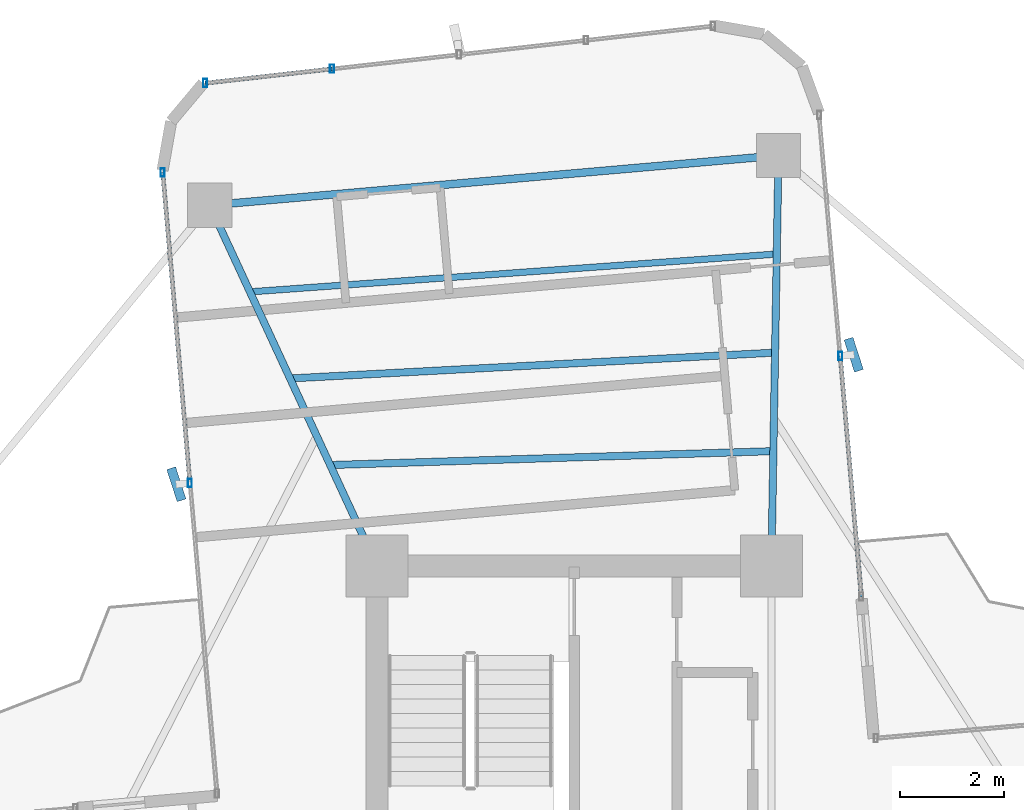
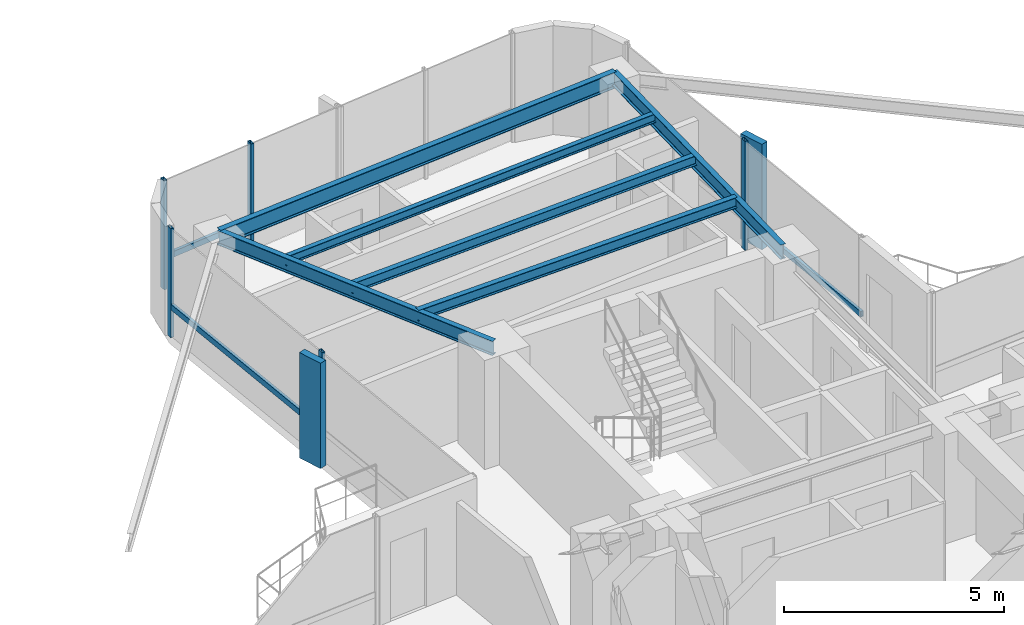
# One storey, part 16 of 24: 10 members, 6 beams, 3 elements without a shape of their own.
"""IFC4 building model written with IfcOpenShell, lengths in metres."""

from ifc_helpers import new_model, si_unit, direction, frame, origin, origin_2d, place, context, subcontext, project, spatial, rectangle, hollow_rectangle, i_section, extrude, source, transform, mapped, material, material_profile, profile_set, type_object, element, aggregate, save


model = new_model("IFC4")

# Units and contexts
model_context = context("Model", 3, precision=1e-05, world=origin(), true_north=direction((0.0, 1.0)))
body_context = subcontext(model_context, "Body", "Model", "MODEL_VIEW")
ifc_project = project(units=[si_unit("LENGTHUNIT", "METRE"), si_unit("AREAUNIT", "SQUARE_METRE"), si_unit("VOLUMEUNIT", "CUBIC_METRE"), si_unit("PLANEANGLEUNIT", "RADIAN"), si_unit("MASSUNIT", "GRAM", prefix="KILO")], contexts=[model_context])

# Site, building, storey
site_placement = place(None, origin())
site = spatial("IfcSite", under=ifc_project, at=site_placement, CompositionType="ELEMENT")
building_placement = place(site_placement, origin())
building = spatial("IfcBuilding", under=site, at=building_placement, Name="Sahyath Konkavel Grand Hotel", CompositionType="ELEMENT")
storey_placement = place(building_placement, frame((0.0, 0.0, 198.64990234375)))
storey = spatial("IfcBuildingStorey", under=building, at=storey_placement, Name="L55", CompositionType="ELEMENT", Elevation=198.64990234375)

# Beams
ifc_material_1 = material(Name="Steel E350", Category="steel")
ifc_material_profile_1 = material_profile(ifc_material_1, i_section(OverallWidth=0.139892578125, OverallDepth=0.39990234375, WebThickness=0.0087890625, FlangeThickness=0.01611328125, FilletRadius=0.013916015625, at=origin_2d()), Name="ISMB 400")
ifc_profile_set_1 = profile_set([ifc_material_profile_1], Name="Steel E350")
beam_type_1 = type_object("IfcBeamType", Name="BM-ISMB400", PredefinedType="BEAM", material=ifc_profile_set_1)
shared_shape_1 = source(origin(), body_context, "Body", "SweptSolid", [
    extrude(i_section(OverallWidth=0.139892578125, OverallDepth=0.39990234375, WebThickness=0.0087890625, FlangeThickness=0.01611328125, FilletRadius=0.013916015625, at=origin_2d()), origin(), (0.0, 0.0, 1.0), 7.913330078125),
])
beam_1_placement = place(storey_placement, frame((3.800048828125, 10.199951171875, 2.830078125), z_axis=(0.017215419232, 0.999851803689, 0.0), x_axis=(-0.999851803689, 0.017215419232, 0.0)))
element("IfcBeam", 1, at=beam_1_placement, inside=storey, type_object=beam_type_1, Name="L55 Cruciform Radial Girder NA", PredefinedType="BEAM", context=body_context, shape_type="MappedRepresentation", body=[
    mapped(shared_shape_1, transform((0.0, 0.0, 0.0), scale=1.0)),
])
shared_shape_2 = source(origin(), body_context, "Body", "SweptSolid", [
    extrude(i_section(OverallWidth=0.139892578125, OverallDepth=0.39990234375, WebThickness=0.0087890625, FlangeThickness=0.01611328125, FilletRadius=0.013916015625, at=origin_2d()), origin(), (0.0, 0.0, 1.0), 7.66357421875),
])
beam_2_placement = place(storey_placement, frame((-3.800048828125, 10.199951171875, 2.830078125), z_axis=(-0.420395127561, 0.907341135804, 0.0), x_axis=(-0.907341135804, -0.420395127561, 0.0)))
element("IfcBeam", 2, at=beam_2_placement, inside=storey, type_object=beam_type_1, Name="L55 Cruciform Radial Girder NB", PredefinedType="BEAM", context=body_context, shape_type="MappedRepresentation", body=[
    mapped(shared_shape_2, transform((0.0, 0.0, 0.0), scale=1.0)),
])
ifc_material_profile_2 = material_profile(ifc_material_1, i_section(OverallWidth=0.14990234375, OverallDepth=0.449951171875, WebThickness=0.009521484375, FlangeThickness=0.017333984375, FilletRadius=0.014892578125, at=origin_2d()), Name="ISMB 450")
ifc_profile_set_2 = profile_set([ifc_material_profile_2], Name="Steel E350")
beam_type_2 = type_object("IfcBeamType", Name="BM-ISMB450", PredefinedType="BEAM", material=ifc_profile_set_2)
shared_shape_3 = source(origin(), body_context, "Body", "SweptSolid", [
    extrude(i_section(OverallWidth=0.14990234375, OverallDepth=0.449951171875, WebThickness=0.009521484375, FlangeThickness=0.017333984375, FilletRadius=0.014892578125, at=origin_2d()), origin(), (0.0, 0.0, 1.0), 10.999755859375),
])
beam_3_placement = place(storey_placement, frame((3.936279296875, 18.112060546875, 2.80517578125), z_axis=(-0.99619439202, -0.087159241098, 0.0), x_axis=(0.087159241098, -0.99619439202, 0.0)))
element("IfcBeam", 3, at=beam_3_placement, inside=storey, type_object=beam_type_2, Name="L55 Wing Tip Edge Beam N", PredefinedType="BEAM", context=body_context, shape_type="MappedRepresentation", body=[
    mapped(shared_shape_3, transform((0.0, 0.0, 0.0), scale=1.0)),
])
ifc_material_profile_3 = material_profile(ifc_material_1, i_section(OverallWidth=0.139892578125, OverallDepth=0.300048828125, WebThickness=0.0078125, FlangeThickness=0.01318359375, FilletRadius=0.013916015625, at=origin_2d()), Name="ISMB 300")
ifc_profile_set_3 = profile_set([ifc_material_profile_3], Name="Steel E350")
beam_type_3 = type_object("IfcBeamType", Name="BM-ISMB300", PredefinedType="BEAM", material=ifc_profile_set_3)
shared_shape_4 = source(origin(), body_context, "Body", "SweptSolid", [
    extrude(i_section(OverallWidth=0.139892578125, OverallDepth=0.300048828125, WebThickness=0.0078125, FlangeThickness=0.01318359375, FilletRadius=0.013916015625, at=origin_2d()), origin(), (0.0, 0.0, 1.0), 8.54443359375),
])
beam_4_placement = place(storey_placement, frame((3.838134765625, 12.415283203125, 2.880126953125), z_axis=(-0.999506849365, -0.031401561632, 0.0), x_axis=(0.031401561632, -0.999506849365, 0.0)))
element("IfcBeam", 4, at=beam_4_placement, inside=storey, type_object=beam_type_3, Name="L55 Secondary Floor Beam N-1", PredefinedType="BEAM", context=body_context, shape_type="MappedRepresentation", body=[
    mapped(shared_shape_4, transform((0.0, 0.0, 0.0), scale=1.0)),
])
ifc_material_profile_4 = material_profile(ifc_material_1, i_section(OverallWidth=0.139892578125, OverallDepth=0.27490234375, WebThickness=0.00634765625, FlangeThickness=0.0087890625, FilletRadius=0.012939453125, at=origin_2d()), Name="ISLB 275")
ifc_profile_set_4 = profile_set([ifc_material_profile_4], Name="Steel E350")
beam_type_4 = type_object("IfcBeamType", Name="BM-ISLB275", PredefinedType="BEAM", material=ifc_profile_set_4)
shared_shape_5 = source(origin(), body_context, "Body", "SweptSolid", [
    extrude(i_section(OverallWidth=0.139892578125, OverallDepth=0.27490234375, WebThickness=0.00634765625, FlangeThickness=0.0087890625, FilletRadius=0.012939453125, at=origin_2d()), origin(), (0.0, 0.0, 1.0), 9.359375),
])
beam_5_placement = place(storey_placement, frame((3.870849609375, 14.314208984375, 2.892578125), z_axis=(-0.998580397723, -0.053265272769, 0.0), x_axis=(0.053265272769, -0.998580397723, 0.0)))
element("IfcBeam", 5, at=beam_5_placement, inside=storey, type_object=beam_type_4, Name="L55 Secondary Floor Beam N-2", PredefinedType="BEAM", context=body_context, shape_type="MappedRepresentation", body=[
    mapped(shared_shape_5, transform((0.0, 0.0, 0.0), scale=1.0)),
])
ifc_material_profile_5 = material_profile(ifc_material_1, i_section(OverallWidth=0.125, OverallDepth=0.25, WebThickness=0.0068359375, FlangeThickness=0.012451171875, FilletRadius=0.012939453125, at=origin_2d()), Name="ISMB 250")
ifc_profile_set_5 = profile_set([ifc_material_profile_5], Name="Steel E350")
beam_type_5 = type_object("IfcBeamType", Name="BM-ISMB250", PredefinedType="BEAM", material=ifc_profile_set_5)
shared_shape_6 = source(origin(), body_context, "Body", "SweptSolid", [
    extrude(i_section(OverallWidth=0.125, OverallDepth=0.25, WebThickness=0.0068359375, FlangeThickness=0.012451171875, FilletRadius=0.012939453125, at=origin_2d()), origin(), (0.0, 0.0, 1.0), 10.178466796875),
])
beam_6_placement = place(storey_placement, frame((3.90380859375, 16.213134765625, 2.905029296875), z_axis=(-0.997435268886, -0.071574327683, 0.0), x_axis=(0.071574327683, -0.997435268886, 0.0)))
element("IfcBeam", 6, at=beam_6_placement, inside=storey, type_object=beam_type_5, Name="L55 Secondary Floor Beam N-3", PredefinedType="BEAM", context=body_context, shape_type="MappedRepresentation", body=[
    mapped(shared_shape_6, transform((0.0, 0.0, 0.0), scale=1.0)),
])

# Curtain wall, member
ifc_material_2 = material(Name="Anodised Bronze Aluminium & Low-E Glazing", Category="aluminium")
curtain_wall_type = type_object("IfcCurtainWallType", Name="CW-ZONE3", PredefinedType="NOTDEFINED", material=ifc_material_2)
curtain_wall_1_placement = place(storey_placement, origin())
curtain_wall_1 = element("IfcCurtainWall", 7, at=curtain_wall_1_placement, inside=storey, type_object=curtain_wall_type, Name="L55 Unitised Curtain Wall F8", PredefinedType="NOTDEFINED")
ifc_material_3 = material(Name="Anodised Bronze Aluminium", Category="aluminium")
ifc_material_profile_6 = material_profile(ifc_material_3, hollow_rectangle(XDim=0.080078125, YDim=0.159912109375, WallThickness=0.006103515625, at=origin_2d()), Name="RHS 160x80x6")
ifc_profile_set_6 = profile_set([ifc_material_profile_6], Name="Anodised Bronze Aluminium")
member_type_1 = type_object("IfcMemberType", Name="CW-MUL-160", PredefinedType="MULLION", material=ifc_profile_set_6)
shared_shape_7 = source(origin(), body_context, "Body", "SweptSolid", [
    extrude(hollow_rectangle(XDim=0.080078125, YDim=0.159912109375, WallThickness=0.006103515625, at=origin_2d()), origin(), (0.0, 0.0, 1.0), 3.030029296875),
])
member_1_placement = place(storey_placement, frame((5.12744140625, 14.251220703125, 0.0), z_axis=(0.0, 0.0, 1.0), x_axis=(1.0, 0.0, 0.0)))
member_1 = element("IfcMember", 8, at=member_1_placement, type_object=member_type_1, Name="L55 Curtain Wall Mullion F8-1", PredefinedType="MULLION", context=body_context, shape_type="MappedRepresentation", body=[
    mapped(shared_shape_7, transform((0.0, 0.0, 0.0), scale=1.0)),
])

# Curtain wall, members
curtain_wall_2_placement = place(storey_placement, origin())
curtain_wall_2 = element("IfcCurtainWall", 9, at=curtain_wall_2_placement, inside=storey, type_object=curtain_wall_type, Name="L55 Unitised Curtain Wall F12", PredefinedType="NOTDEFINED")
member_2_placement = place(storey_placement, frame((-4.665771484375, 19.783203125, 0.0), z_axis=(0.0, 0.0, 1.0), x_axis=(1.0, 0.0, 0.0)))
member_2 = element("IfcMember", 10, at=member_2_placement, type_object=member_type_1, Name="L55 Curtain Wall Mullion F12-3", PredefinedType="MULLION", context=body_context, shape_type="MappedRepresentation", body=[
    mapped(shared_shape_7, transform((0.0, 0.0, 0.0), scale=1.0)),
])
member_3_placement = place(storey_placement, frame((-7.1123046875, 19.507568359375, 0.0), z_axis=(0.0, 0.0, 1.0), x_axis=(1.0, 0.0, 0.0)))
member_3 = element("IfcMember", 11, at=member_3_placement, type_object=member_type_1, Name="L55 Curtain Wall Mullion F12-4", PredefinedType="MULLION", context=body_context, shape_type="MappedRepresentation", body=[
    mapped(shared_shape_7, transform((0.0, 0.0, 0.0), scale=1.0)),
])

curtain_wall_3_placement = place(storey_placement, origin())
curtain_wall_3 = element("IfcCurtainWall", 12, at=curtain_wall_3_placement, inside=storey, type_object=curtain_wall_type, Name="L55 Unitised Curtain Wall F15", PredefinedType="NOTDEFINED")
member_4_placement = place(storey_placement, frame((-7.930419921875, 17.78662109375, 0.0), z_axis=(0.0, 0.0, 1.0), x_axis=(1.0, 0.0, 0.0)))
member_4 = element("IfcMember", 13, at=member_4_placement, type_object=member_type_1, Name="L55 Curtain Wall Mullion F15-0", PredefinedType="MULLION", context=body_context, shape_type="MappedRepresentation", body=[
    mapped(shared_shape_7, transform((0.0, 0.0, 0.0), scale=1.0)),
])
member_5_placement = place(storey_placement, frame((-7.406494140625, 11.79931640625, 0.0), z_axis=(0.0, 0.0, 1.0), x_axis=(1.0, 0.0, 0.0)))
member_5 = element("IfcMember", 14, at=member_5_placement, type_object=member_type_1, Name="L55 Curtain Wall Mullion F15-1", PredefinedType="MULLION", context=body_context, shape_type="MappedRepresentation", body=[
    mapped(shared_shape_7, transform((0.0, 0.0, 0.0), scale=1.0)),
])

# Member
ifc_material_4 = material(Name="Warm Buff Sandstone Cladding on Concrete C50/60", Category="masonry")
ifc_material_profile_7 = material_profile(ifc_material_4, rectangle(XDim=0.179931640625, YDim=0.64990234375, at=origin_2d()), Name="FIN 180x650")
ifc_profile_set_7 = profile_set([ifc_material_profile_7], Name="Warm Buff Sandstone Cladding on Concrete C50/60")
member_type_2 = type_object("IfcMemberType", Name="FIN-SANDSTONE-650", PredefinedType="MULLION", material=ifc_profile_set_7)
shared_shape_8 = source(origin(), body_context, "Body", "SweptSolid", [
    extrude(rectangle(XDim=0.179931640625, YDim=0.64990234375, at=origin_2d()), origin(), (0.0, 0.0, 1.0), 2.929931640625),
])
member_6_placement = place(storey_placement, frame((5.386474609375, 14.273681640625, 0.050048828125), z_axis=(0.0, 0.0, 1.0), x_axis=(0.951056516295, 0.309016994375, 0.0)))
member_6 = element("IfcMember", 15, at=member_6_placement, type_object=member_type_2, Name="L55 Sandstone Vertical Solar Fin FIN F8-1", PredefinedType="MULLION", context=body_context, shape_type="MappedRepresentation", body=[
    mapped(shared_shape_8, transform((0.0, 0.0, 0.0), scale=1.0)),
])

member_7_placement = place(storey_placement, frame((-7.66552734375, 11.776611328125, 0.050048828125), z_axis=(0.0, 0.0, 1.0), x_axis=(0.951056516295, 0.309016994375, 0.0)))
member_7 = element("IfcMember", 16, at=member_7_placement, type_object=member_type_2, Name="L55 Sandstone Vertical Solar Fin FIN F15-1", PredefinedType="MULLION", context=body_context, shape_type="MappedRepresentation", body=[
    mapped(shared_shape_8, transform((0.0, 0.0, 0.0), scale=1.0)),
])

ifc_material_profile_8 = material_profile(ifc_material_3, hollow_rectangle(XDim=0.080078125, YDim=0.159912109375, WallThickness=0.006103515625, at=origin_2d()), Name="RHS 160x80x6")
ifc_profile_set_8 = profile_set([ifc_material_profile_8], Name="Anodised Bronze Aluminium")
member_type_3 = type_object("IfcMemberType", Name="CW-TRN-160", PredefinedType="USERDEFINED", material=ifc_profile_set_8)
shared_shape_9 = source(origin(), body_context, "Body", "SweptSolid", [
    extrude(hollow_rectangle(XDim=0.080078125, YDim=0.159912109375, WallThickness=0.006103515625, at=origin_2d()), origin(), (0.0, 0.0, 1.0), 4.66015625),
])
member_8_placement = place(storey_placement, frame((5.53369140625, 9.60888671875, 0.85009765625), z_axis=(-0.087176698736, 0.996192864458, 0.0), x_axis=(-0.996192864458, -0.087176698736, 0.0)))
member_8 = element("IfcMember", 17, at=member_8_placement, type_object=member_type_3, Name="L55 Curtain Wall Transom F8-0-spandrel", ObjectType="TRANSOM", PredefinedType="USERDEFINED", context=body_context, shape_type="MappedRepresentation", body=[
    mapped(shared_shape_9, transform((0.0, 0.0, 0.0), scale=1.0)),
])

aggregate(curtain_wall_1, [member_1, member_6, member_8])

shared_shape_10 = source(origin(), body_context, "Body", "SweptSolid", [
    extrude(hollow_rectangle(XDim=0.080078125, YDim=0.159912109375, WallThickness=0.006103515625, at=origin_2d()), origin(), (0.0, 0.0, 1.0), 2.4619140625),
])
member_9_placement = place(storey_placement, frame((-4.665771484375, 19.783203125, 0.85009765625), z_axis=(-0.993713263833, -0.111955121731, 0.0), x_axis=(0.111955121731, -0.993713263833, 0.0)))
member_9 = element("IfcMember", 18, at=member_9_placement, type_object=member_type_3, Name="L55 Curtain Wall Transom F12-3-spandrel", ObjectType="TRANSOM", PredefinedType="USERDEFINED", context=body_context, shape_type="MappedRepresentation", body=[
    mapped(shared_shape_10, transform((0.0, 0.0, 0.0), scale=1.0)),
])

aggregate(curtain_wall_2, [member_2, member_3, member_9])

shared_shape_11 = source(origin(), body_context, "Body", "SweptSolid", [
    extrude(hollow_rectangle(XDim=0.080078125, YDim=0.159912109375, WallThickness=0.006103515625, at=origin_2d()), origin(), (0.0, 0.0, 1.0), 6.01025390625),
])
member_10_placement = place(storey_placement, frame((-7.930419921875, 17.78662109375, 0.85009765625), z_axis=(0.087172997156, -0.996193188376, 0.0), x_axis=(0.996193188376, 0.087172997156, 0.0)))
member_10 = element("IfcMember", 19, at=member_10_placement, type_object=member_type_3, Name="L55 Curtain Wall Transom F15-0-spandrel", ObjectType="TRANSOM", PredefinedType="USERDEFINED", context=body_context, shape_type="MappedRepresentation", body=[
    mapped(shared_shape_11, transform((0.0, 0.0, 0.0), scale=1.0)),
])

aggregate(curtain_wall_3, [member_4, member_5, member_7, member_10])

save(model, "model.ifc")
